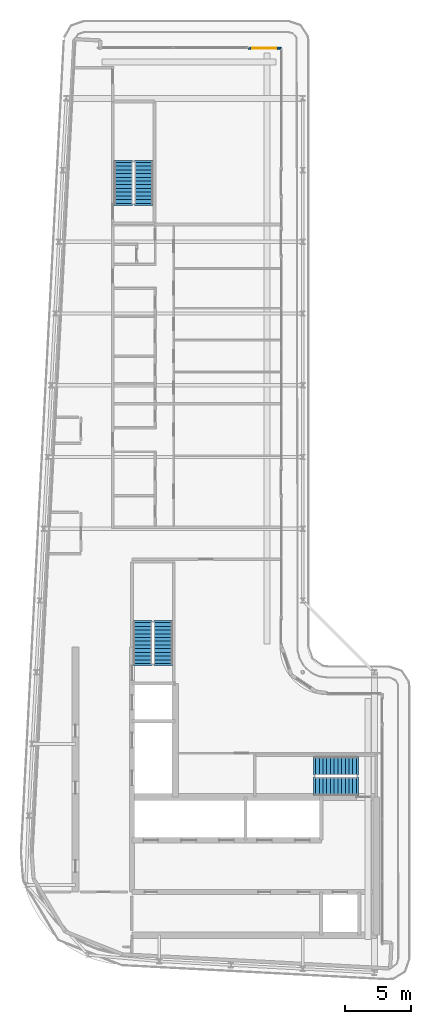
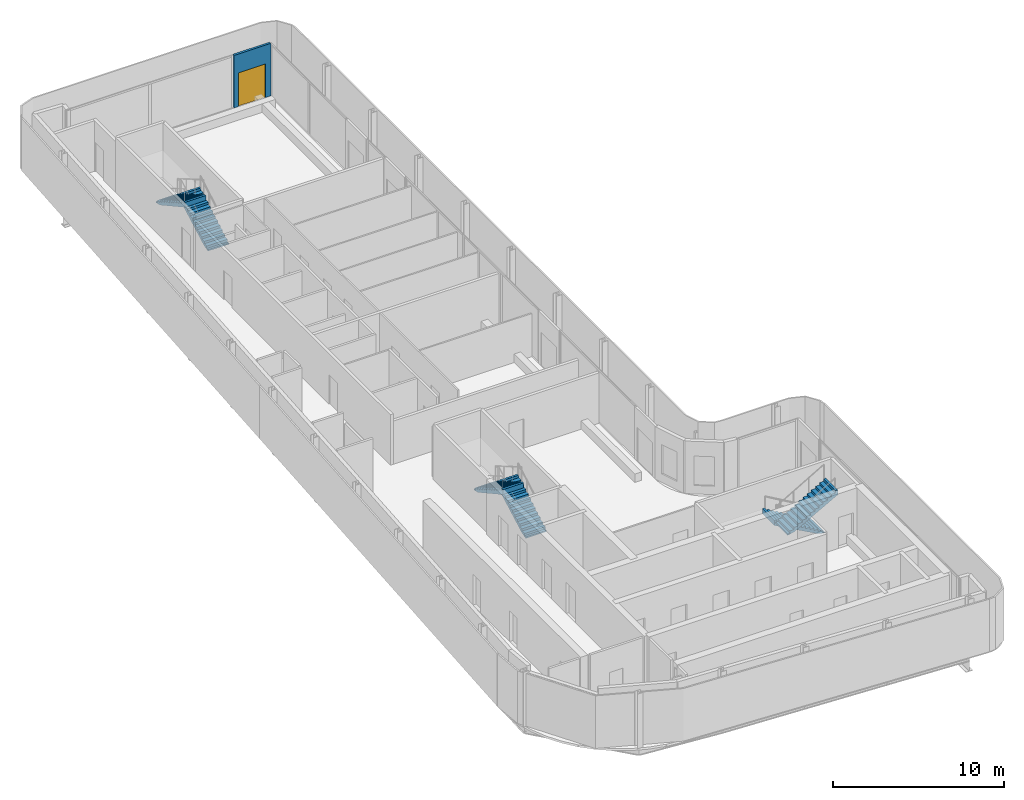
# One storey, part 12 of 19: 6 stair flights, 1 door, 1 wall, 1 opening, 3 elements without a shape of their own.
"""IFC4 building model written with IfcOpenShell, lengths in metres."""

from ifc_helpers import new_model, si_unit, direction, frame, frame_2d, origin, place, context, subcontext, project, spatial, polyline, rectangle, outline, extrude, source, transform, mapped, material, layer, layer_set, type_object, element, fill, aggregate, save


model = new_model("IFC4")

# Units and contexts
model_context = context("Model", 3, precision=1e-05, world=origin(), true_north=direction((0.0, 1.0)))
body_context = subcontext(model_context, "Body", "Model", "MODEL_VIEW")
ifc_project = project(units=[si_unit("LENGTHUNIT", "METRE"), si_unit("AREAUNIT", "SQUARE_METRE"), si_unit("VOLUMEUNIT", "CUBIC_METRE"), si_unit("PLANEANGLEUNIT", "RADIAN"), si_unit("MASSUNIT", "GRAM", prefix="KILO")], contexts=[model_context])

# Site, building, storey
site_placement = place(None, origin())
site = spatial("IfcSite", under=ifc_project, at=site_placement, CompositionType="ELEMENT")
building_placement = place(site_placement, origin())
building = spatial("IfcBuilding", under=site, at=building_placement, Name="Kheshtan School and Residences Tower", CompositionType="ELEMENT")
storey_placement = place(building_placement, frame((0.0, 0.0, 353.89990234375)))
storey = spatial("IfcBuildingStorey", under=building, at=storey_placement, Name="L83", CompositionType="ELEMENT", Elevation=353.89990234375)

# Wall, opening, door
ifc_material_1 = material(Name="Aluminium frame wall with insulated infill", Category="aluminium")
ifc_layer_1 = layer(ifc_material_1, 0.14990234375)
ifc_layer_set_1 = layer_set([ifc_layer_1], Name="Glazing frame wall 150")
wall_type = type_object("IfcWallType", Name="Glazing frame wall 150", PredefinedType="SOLIDWALL", material=ifc_layer_set_1)
wall_placement = place(storey_placement, frame((43.5, 92.574951171875, 0.0), z_axis=(0.0, 0.0, 1.0), x_axis=(1.0, 0.0, 0.0)))
wall = element("IfcWall", 1, at=wall_placement, inside=storey, type_object=wall_type, Name="Balcony door wall L83 3.1", PredefinedType="SOLIDWALL", context=body_context, shape_type="SweptSolid", body=[
    extrude(rectangle(XDim=2.470947265625, YDim=0.14990234375, at=frame_2d((1.2353515625, 0.0))), origin(), (0.0, 0.0, 1.0), 3.75),
])
opening_placement = place(wall_placement, frame((0.300048828125, 0.0, 0.0)))
opening = element("IfcOpeningElement", 2, at=opening_placement, cuts=wall, Name="Opening BD", PredefinedType="OPENING", context=body_context, shape_type="SweptSolid", body=[
    extrude(rectangle(XDim=1.800048828125, YDim=2.39990234375, at=frame_2d((0.89990234375, 1.199951171875))), frame((0.0, 0.0849609375, 0.0), z_axis=(0.0, -1.0, 0.0), x_axis=(1.0, 0.0, 0.0)), (0.0, 0.0, 1.0), 0.169921875),
])
ifc_material_2 = material(Name="Clear low-e glass in thermally broken aluminium frame", Category="aluminium")
door_type = type_object("IfcDoorType", Name="Balcony sliding door", OperationType="SLIDING_TO_LEFT", PredefinedType="DOOR", material=ifc_material_2)
shared_shape = source(origin(), body_context, "Body", "SweptSolid", [
    extrude(rectangle(XDim=1.800048828125, YDim=2.39990234375, at=frame_2d((0.89990234375, 1.199951171875))), frame((0.0, 0.02490234375, 0.0), z_axis=(0.0, -1.0, 0.0), x_axis=(1.0, 0.0, 0.0)), (0.0, 0.0, 1.0), 0.050048828125),
])
door_placement = place(opening_placement, origin())
door = element("IfcDoor", 3, at=door_placement, inside=storey, type_object=door_type, Name="Balcony door L83 3.1", OperationType="SLIDING_TO_LEFT", OverallHeight=2.39990234375, OverallWidth=1.800048828125, PredefinedType="DOOR", context=body_context, shape_type="MappedRepresentation", body=[
    mapped(shared_shape, transform((0.0, 0.0, 0.0), x_axis=(1.0, 0.0, 0.0), y_axis=(0.0, 1.0, 0.0), z_axis=(0.0, 0.0, 1.0), scale=1.0)),
])
fill(opening, door)

# Stair, stair flights
ifc_material_3 = material(Name="Concrete C40/50", Category="concrete")
stair_type = type_object("IfcStairType", Name="Exit stair, half-turn", PredefinedType="HALF_TURN_STAIR", material=ifc_material_3)
stair_1_placement = place(storey_placement, origin())
stair_1 = element("IfcStair", 4, at=stair_1_placement, inside=storey, type_object=stair_type, Name="L83 Protected Exit Stair ST1", PredefinedType="HALF_TURN_STAIR")
ifc_layer_2 = layer(ifc_material_3, 0.14990234375)
ifc_layer_set_2 = layer_set([ifc_layer_2], Name="Stair flight 1400 Concrete C40/50")
stair_flight_type = type_object("IfcStairFlightType", Name="Stair flight 1400 Concrete C40/50", PredefinedType="STRAIGHT", material=ifc_layer_set_2)
stair_flight_1_placement = place(storey_placement, frame((51.64990234375, 38.550048828125, 0.0), z_axis=(0.0, 0.0, 1.0), x_axis=(-1.0, 0.0, 0.0)))
stair_flight_1 = element("IfcStairFlight", 5, at=stair_flight_1_placement, type_object=stair_flight_type, Name="ST1 flight 1", NumberOfRisers=12, NumberOfTreads=11, PredefinedType="STRAIGHT", RiserHeight=0.1625, TreadLength=0.28, context=body_context, shape_type="SweptSolid", body=[
    extrude(outline(polyline([(-0.14990234375, -0.10009765625), (-0.14990234375, 0.0), (0.0, 0.0), (0.0, 0.16259765625), (0.280029296875, 0.16259765625), (0.280029296875, 0.324951171875), (0.56005859375, 0.324951171875), (0.56005859375, 0.487548828125), (0.840087890625, 0.487548828125), (0.840087890625, 0.64990234375), (1.1201171875, 0.64990234375), (1.1201171875, 0.8125), (1.39990234375, 0.8125), (1.39990234375, 0.97509765625), (1.679931640625, 0.97509765625), (1.679931640625, 1.137451171875), (1.9599609375, 1.137451171875), (1.9599609375, 1.300048828125), (2.239990234375, 1.300048828125), (2.239990234375, 1.46240234375), (2.52001953125, 1.46240234375), (2.52001953125, 1.625), (2.800048828125, 1.625), (2.800048828125, 1.78759765625), (3.080078125, 1.78759765625), (3.080078125, 1.949951171875), (3.080078125, 1.969970703125), (3.22998046875, 1.969970703125), (3.22998046875, 1.6142578125), (0.298583984375, 0.0), (-0.14990234375, -0.10009765625)])), frame((0.0, 0.699951171875, 0.0), z_axis=(0.0, -1.0, 0.0), x_axis=(1.0, 0.0, 0.0)), (0.0, 0.0, 1.0), 1.39990234375),
])
stair_flight_2_placement = place(storey_placement, frame((48.570068359375, 37.0, 1.9501953125), z_axis=(0.0, 0.0, 1.0), x_axis=(1.0, 0.0, 0.0)))
stair_flight_2 = element("IfcStairFlight", 6, at=stair_flight_2_placement, type_object=stair_flight_type, Name="ST1 flight 2", NumberOfRisers=12, NumberOfTreads=11, PredefinedType="STRAIGHT", RiserHeight=0.1625, TreadLength=0.28, context=body_context, shape_type="SweptSolid", body=[
    extrude(outline(polyline([(-0.14990234375, -0.10009765625), (-0.14990234375, 0.0), (0.0, 0.0), (0.0, 0.16259765625), (0.280029296875, 0.16259765625), (0.280029296875, 0.324951171875), (0.56005859375, 0.324951171875), (0.56005859375, 0.487548828125), (0.840087890625, 0.487548828125), (0.840087890625, 0.64990234375), (1.1201171875, 0.64990234375), (1.1201171875, 0.8125), (1.39990234375, 0.8125), (1.39990234375, 0.97509765625), (1.679931640625, 0.97509765625), (1.679931640625, 1.137451171875), (1.9599609375, 1.137451171875), (1.9599609375, 1.300048828125), (2.239990234375, 1.300048828125), (2.239990234375, 1.46240234375), (2.52001953125, 1.46240234375), (2.52001953125, 1.625), (2.800048828125, 1.625), (2.800048828125, 1.78759765625), (3.080078125, 1.78759765625), (3.080078125, 1.949951171875), (3.080078125, 1.969970703125), (3.22998046875, 1.969970703125), (3.22998046875, 1.6142578125), (0.298583984375, 0.0), (-0.14990234375, -0.10009765625)])), frame((0.0, 0.699951171875, 0.0), z_axis=(0.0, -1.0, 0.0), x_axis=(1.0, 0.0, 0.0)), (0.0, 0.0, 1.0), 1.39990234375),
])
aggregate(stair_1, [stair_flight_1, stair_flight_2])

stair_2_placement = place(storey_placement, origin())
stair_2 = element("IfcStair", 7, at=stair_2_placement, inside=storey, type_object=stair_type, Name="L83 Protected Exit Stair ST2", PredefinedType="HALF_TURN_STAIR")
stair_flight_3_placement = place(storey_placement, frame((37.10009765625, 46.25, 0.0), z_axis=(0.0, 0.0, 1.0), x_axis=(0.0, 1.0, 0.0)))
stair_flight_3 = element("IfcStairFlight", 8, at=stair_flight_3_placement, type_object=stair_flight_type, Name="ST2 flight 1", NumberOfRisers=12, NumberOfTreads=11, PredefinedType="STRAIGHT", RiserHeight=0.1625, TreadLength=0.28, context=body_context, shape_type="SweptSolid", body=[
    extrude(outline(polyline([(-0.14990234375, -0.10009765625), (-0.14990234375, 0.0), (0.0, 0.0), (0.0, 0.16259765625), (0.280029296875, 0.16259765625), (0.280029296875, 0.324951171875), (0.56005859375, 0.324951171875), (0.56005859375, 0.487548828125), (0.840087890625, 0.487548828125), (0.840087890625, 0.64990234375), (1.1201171875, 0.64990234375), (1.1201171875, 0.8125), (1.39990234375, 0.8125), (1.39990234375, 0.97509765625), (1.679931640625, 0.97509765625), (1.679931640625, 1.137451171875), (1.9599609375, 1.137451171875), (1.9599609375, 1.300048828125), (2.239990234375, 1.300048828125), (2.239990234375, 1.46240234375), (2.52001953125, 1.46240234375), (2.52001953125, 1.625), (2.800048828125, 1.625), (2.800048828125, 1.78759765625), (3.080078125, 1.78759765625), (3.080078125, 1.949951171875), (3.080078125, 1.969970703125), (3.22998046875, 1.969970703125), (3.22998046875, 1.6142578125), (0.298583984375, 0.0), (-0.14990234375, -0.10009765625)])), frame((0.0, 0.699951171875, 0.0), z_axis=(0.0, -1.0, 0.0), x_axis=(1.0, 0.0, 0.0)), (0.0, 0.0, 1.0), 1.39990234375),
])
stair_flight_4_placement = place(storey_placement, frame((35.550048828125, 49.330078125, 1.9501953125), z_axis=(0.0, 0.0, 1.0), x_axis=(0.0, -1.0, 0.0)))
stair_flight_4 = element("IfcStairFlight", 9, at=stair_flight_4_placement, type_object=stair_flight_type, Name="ST2 flight 2", NumberOfRisers=12, NumberOfTreads=11, PredefinedType="STRAIGHT", RiserHeight=0.1625, TreadLength=0.28, context=body_context, shape_type="SweptSolid", body=[
    extrude(outline(polyline([(-0.14990234375, -0.10009765625), (-0.14990234375, 0.0), (0.0, 0.0), (0.0, 0.16259765625), (0.280029296875, 0.16259765625), (0.280029296875, 0.324951171875), (0.56005859375, 0.324951171875), (0.56005859375, 0.487548828125), (0.840087890625, 0.487548828125), (0.840087890625, 0.64990234375), (1.1201171875, 0.64990234375), (1.1201171875, 0.8125), (1.39990234375, 0.8125), (1.39990234375, 0.97509765625), (1.679931640625, 0.97509765625), (1.679931640625, 1.137451171875), (1.9599609375, 1.137451171875), (1.9599609375, 1.300048828125), (2.239990234375, 1.300048828125), (2.239990234375, 1.46240234375), (2.52001953125, 1.46240234375), (2.52001953125, 1.625), (2.800048828125, 1.625), (2.800048828125, 1.78759765625), (3.080078125, 1.78759765625), (3.080078125, 1.949951171875), (3.080078125, 1.969970703125), (3.22998046875, 1.969970703125), (3.22998046875, 1.6142578125), (0.298583984375, 0.0), (-0.14990234375, -0.10009765625)])), frame((0.0, 0.699951171875, 0.0), z_axis=(0.0, -1.0, 0.0), x_axis=(1.0, 0.0, 0.0)), (0.0, 0.0, 1.0), 1.39990234375),
])
aggregate(stair_2, [stair_flight_3, stair_flight_4])

stair_3_placement = place(storey_placement, origin())
stair_3 = element("IfcStair", 10, at=stair_3_placement, inside=storey, type_object=stair_type, Name="L83 Protected Exit Stair ST3", PredefinedType="HALF_TURN_STAIR")
stair_flight_5_placement = place(storey_placement, frame((35.64990234375, 80.89990234375, 0.0), z_axis=(0.0, 0.0, 1.0), x_axis=(0.0, 1.0, 0.0)))
stair_flight_5 = element("IfcStairFlight", 11, at=stair_flight_5_placement, type_object=stair_flight_type, Name="ST3 flight 1", NumberOfRisers=12, NumberOfTreads=11, PredefinedType="STRAIGHT", RiserHeight=0.1625, TreadLength=0.28, context=body_context, shape_type="SweptSolid", body=[
    extrude(outline(polyline([(-0.14990234375, -0.10009765625), (-0.14990234375, 0.0), (0.0, 0.0), (0.0, 0.16259765625), (0.280029296875, 0.16259765625), (0.280029296875, 0.324951171875), (0.56005859375, 0.324951171875), (0.56005859375, 0.487548828125), (0.840087890625, 0.487548828125), (0.840087890625, 0.64990234375), (1.1201171875, 0.64990234375), (1.1201171875, 0.8125), (1.39990234375, 0.8125), (1.39990234375, 0.97509765625), (1.679931640625, 0.97509765625), (1.679931640625, 1.137451171875), (1.9599609375, 1.137451171875), (1.9599609375, 1.300048828125), (2.239990234375, 1.300048828125), (2.239990234375, 1.46240234375), (2.52001953125, 1.46240234375), (2.52001953125, 1.625), (2.800048828125, 1.625), (2.800048828125, 1.78759765625), (3.080078125, 1.78759765625), (3.080078125, 1.949951171875), (3.080078125, 1.969970703125), (3.22998046875, 1.969970703125), (3.22998046875, 1.6142578125), (0.298583984375, 0.0), (-0.14990234375, -0.10009765625)])), frame((0.0, 0.699951171875, 0.0), z_axis=(0.0, -1.0, 0.0), x_axis=(1.0, 0.0, 0.0)), (0.0, 0.0, 1.0), 1.39990234375),
])
stair_flight_6_placement = place(storey_placement, frame((34.10009765625, 83.97998046875, 1.9501953125), z_axis=(0.0, 0.0, 1.0), x_axis=(0.0, -1.0, 0.0)))
stair_flight_6 = element("IfcStairFlight", 12, at=stair_flight_6_placement, type_object=stair_flight_type, Name="ST3 flight 2", NumberOfRisers=12, NumberOfTreads=11, PredefinedType="STRAIGHT", RiserHeight=0.1625, TreadLength=0.28, context=body_context, shape_type="SweptSolid", body=[
    extrude(outline(polyline([(-0.14990234375, -0.10009765625), (-0.14990234375, 0.0), (0.0, 0.0), (0.0, 0.16259765625), (0.280029296875, 0.16259765625), (0.280029296875, 0.324951171875), (0.56005859375, 0.324951171875), (0.56005859375, 0.487548828125), (0.840087890625, 0.487548828125), (0.840087890625, 0.64990234375), (1.1201171875, 0.64990234375), (1.1201171875, 0.8125), (1.39990234375, 0.8125), (1.39990234375, 0.97509765625), (1.679931640625, 0.97509765625), (1.679931640625, 1.137451171875), (1.9599609375, 1.137451171875), (1.9599609375, 1.300048828125), (2.239990234375, 1.300048828125), (2.239990234375, 1.46240234375), (2.52001953125, 1.46240234375), (2.52001953125, 1.625), (2.800048828125, 1.625), (2.800048828125, 1.78759765625), (3.080078125, 1.78759765625), (3.080078125, 1.949951171875), (3.080078125, 1.969970703125), (3.22998046875, 1.969970703125), (3.22998046875, 1.6142578125), (0.298583984375, 0.0), (-0.14990234375, -0.10009765625)])), frame((0.0, 0.699951171875, 0.0), z_axis=(0.0, -1.0, 0.0), x_axis=(1.0, 0.0, 0.0)), (0.0, 0.0, 1.0), 1.39990234375),
])
aggregate(stair_3, [stair_flight_5, stair_flight_6])

save(model, "model.ifc")
